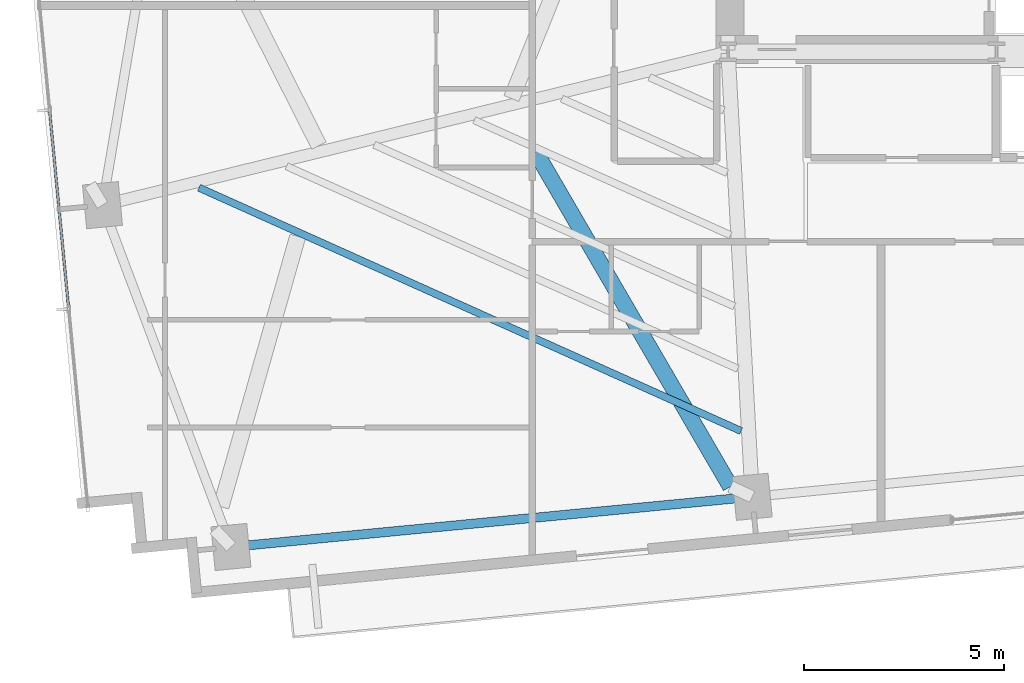
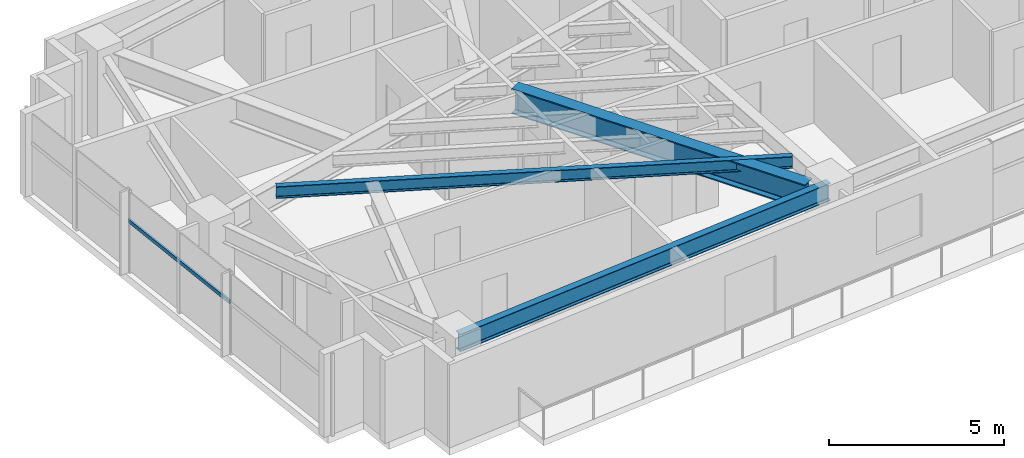
# One storey, part 3 of 27: 3 beams, 1 member, 1 element without a shape of its own.
"""IFC4 building model written with IfcOpenShell, lengths in metres."""

from ifc_helpers import new_model, si_unit, direction, frame, origin, origin_2d, place, context, subcontext, project, spatial, hollow_rectangle, i_section, extrude, source, transform, mapped, material, material_profile, profile_set, type_object, type_shapes, element, aggregate, save


model = new_model("IFC4")

# Units and contexts
model_context = context("Model", 3, precision=1e-05, world=origin(), true_north=direction((0.0, 1.0)))
body_context = subcontext(model_context, "Body", "Model", "MODEL_VIEW")
ifc_project = project(units=[si_unit("LENGTHUNIT", "METRE"), si_unit("AREAUNIT", "SQUARE_METRE"), si_unit("VOLUMEUNIT", "CUBIC_METRE"), si_unit("PLANEANGLEUNIT", "RADIAN"), si_unit("MASSUNIT", "GRAM", prefix="KILO")], contexts=[model_context])

# Site, building, storey
site_placement = place(None, origin())
site = spatial("IfcSite", under=ifc_project, at=site_placement, CompositionType="ELEMENT")
building_placement = place(site_placement, origin())
building = spatial("IfcBuilding", under=site, at=building_placement, Name="Astriad Promenade Condominiums", CompositionType="ELEMENT")
storey_placement = place(building_placement, frame((0.0, 0.0, 116.199951171875)))
storey = spatial("IfcBuildingStorey", under=building, at=storey_placement, Name="L33", CompositionType="ELEMENT", Elevation=116.199951171875)

# Beams
ifc_material_1 = material(Name="Steel ASTM A992 Grade 50", Category="steel")
ifc_material_profile_1 = material_profile(ifc_material_1, i_section(OverallWidth=0.22900390625, OverallDepth=0.612060546875, WebThickness=0.011962890625, FlangeThickness=0.01953125, FilletRadius=0.017822265625, at=origin_2d()), Name="W24X84")
ifc_profile_set_1 = profile_set([ifc_material_profile_1], Name="Steel ASTM A992 Grade 50")
beam_type_1 = type_object("IfcBeamType", Name="STEEL SPANDREL BEAM W24X84", PredefinedType="SPANDREL", material=ifc_profile_set_1)
shared_shape_1 = source(origin(), body_context, "Body", "SweptSolid", [
    extrude(i_section(OverallWidth=0.22900390625, OverallDepth=0.612060546875, WebThickness=0.011962890625, FlangeThickness=0.01953125, FilletRadius=0.017822265625, at=origin_2d()), origin(), (0.0, 0.0, 1.0), 13.02001953125),
])
type_shapes(beam_type_1, [shared_shape_1])
beam_1_placement = place(storey_placement, frame((14.005859375, 5.01318359375, 2.593994140625), z_axis=(0.995395138946, 0.095856754395, 0.0), x_axis=(-0.095856754395, 0.995395138946, 0.0)))
element("IfcBeam", 1, at=beam_1_placement, inside=storey, type_object=beam_type_1, Name="Perimeter Spandrel Beam SP-S1-L33", PredefinedType="SPANDREL", context=body_context, shape_type="MappedRepresentation", body=[
    mapped(shared_shape_1, transform((0.0, 0.0, 0.0), scale=1.0)),
])
ifc_material_profile_2 = material_profile(ifc_material_1, i_section(OverallWidth=0.180908203125, OverallDepth=0.417236328125, WebThickness=0.010986328125, FlangeThickness=0.018310546875, FilletRadius=0.013916015625, at=origin_2d()), Name="W16X57")
ifc_profile_set_2 = profile_set([ifc_material_profile_2], Name="Steel ASTM A992 Grade 50")
beam_type_2 = type_object("IfcBeamType", Name="STEEL FLOOR JOIST W16X57", PredefinedType="JOIST", material=ifc_profile_set_2)
shared_shape_2 = source(origin(), body_context, "Body", "SweptSolid", [
    extrude(i_section(OverallWidth=0.180908203125, OverallDepth=0.417236328125, WebThickness=0.010986328125, FlangeThickness=0.018310546875, FilletRadius=0.013916015625, at=origin_2d()), origin(), (0.0, 0.0, 1.0), 14.863037109375),
])
type_shapes(beam_type_2, [shared_shape_2])
beam_2_placement = place(storey_placement, frame((13.168212890625, 13.996826171875, 2.69140625), z_axis=(0.912311114602, -0.409497777984, 0.0), x_axis=(0.409497777984, 0.912311114602, 0.0)))
element("IfcBeam", 2, at=beam_2_placement, inside=storey, type_object=beam_type_2, Name="Secondary Composite Floor Joist JW1-1-L33", PredefinedType="JOIST", context=body_context, shape_type="MappedRepresentation", body=[
    mapped(shared_shape_2, transform((0.0, 0.0, 0.0), scale=1.0)),
])
ifc_material_profile_3 = material_profile(ifc_material_1, i_section(OverallWidth=0.4013671875, OverallDepth=0.877197265625, WebThickness=0.022216796875, FlangeThickness=0.039794921875, FilletRadius=0.02294921875, at=origin_2d()), Name="W33X263")
ifc_profile_set_3 = profile_set([ifc_material_profile_3], Name="Steel ASTM A992 Grade 50")
beam_type_3 = type_object("IfcBeamType", Name="STEEL TRANSFER CARRIER GIRDER W33X263", PredefinedType="BEAM", material=ifc_profile_set_3)
shared_shape_3 = source(origin(), body_context, "Body", "SweptSolid", [
    extrude(i_section(OverallWidth=0.4013671875, OverallDepth=0.877197265625, WebThickness=0.022216796875, FlangeThickness=0.039794921875, FilletRadius=0.02294921875, at=origin_2d()), origin(), (0.0, 0.0, 1.0), 9.687744140625),
])
type_shapes(beam_type_3, [shared_shape_3])
beam_3_placement = place(storey_placement, frame((21.58740234375, 14.89208984375, 2.46142578125), z_axis=(0.503016809698, -0.864276627684, 0.0), x_axis=(0.864276627684, 0.503016809698, 0.0)))
element("IfcBeam", 3, at=beam_3_placement, inside=storey, type_object=beam_type_3, Name="Transfer Splice Carrier TRM-SP-PC02-L33", PredefinedType="BEAM", context=body_context, shape_type="MappedRepresentation", body=[
    mapped(shared_shape_3, transform((0.0, 0.0, 0.0), scale=1.0)),
])

# Curtain wall, member
ifc_material_2 = material(Name="Anodised aluminium Black Dark Glass Unitised", Category="aluminium")
curtain_wall_type = type_object("IfcCurtainWallType", Name="CW-B2-DARK", PredefinedType="USERDEFINED", material=ifc_material_2)
curtain_wall_placement = place(storey_placement, origin())
curtain_wall = element("IfcCurtainWall", 4, at=curtain_wall_placement, inside=storey, type_object=curtain_wall_type, Name="CW-L33-W", ObjectType="UNITISED_CURTAIN_WALL", PredefinedType="USERDEFINED")
ifc_material_3 = material(Name="Anodised aluminium 6063-T6 Black", Category="aluminium")
ifc_material_profile_4 = material_profile(ifc_material_3, hollow_rectangle(XDim=0.06494140625, YDim=0.1298828125, WallThickness=0.00390625, at=origin_2d()), Name="ALU-TRN-65X130")
ifc_profile_set_4 = profile_set([ifc_material_profile_4], Name="Anodised aluminium 6063-T6 Black")
member_type = type_object("IfcMemberType", Name="TRN-ALU-TRN-65X130", PredefinedType="USERDEFINED", material=ifc_profile_set_4)
shared_shape_4 = source(origin(), body_context, "Body", "SweptSolid", [
    extrude(hollow_rectangle(XDim=0.06494140625, YDim=0.1298828125, WallThickness=0.00390625, at=origin_2d()), origin(), (0.0, 0.0, 1.0), 5.0),
])
type_shapes(member_type, [shared_shape_4])
member_placement = place(storey_placement, frame((9.90625, 10.9677734375, 1.798095703125), z_axis=(-0.095848242264, 0.995395958629, 0.0), x_axis=(-0.995395958629, -0.095848242264, 0.0)))
member = element("IfcMember", 5, at=member_placement, type_object=member_type, Name="CW-L33-W-TRN-01-0", ObjectType="TRANSOM", PredefinedType="USERDEFINED", context=body_context, shape_type="MappedRepresentation", body=[
    mapped(shared_shape_4, transform((0.0, 0.0, 0.0), scale=1.0)),
])
aggregate(curtain_wall, [member])

save(model, "model.ifc")
